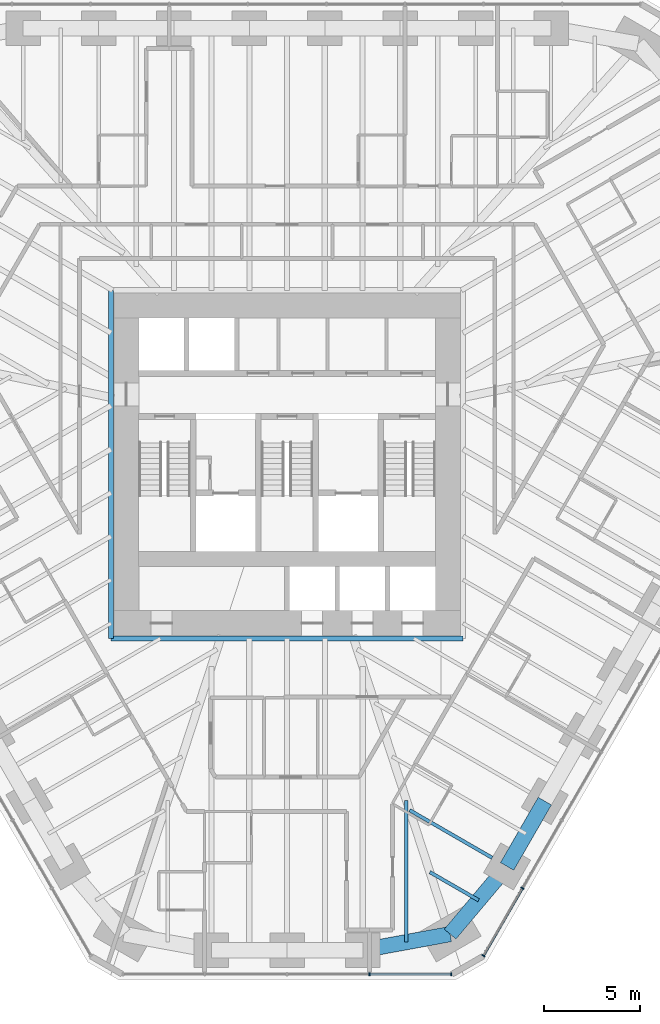
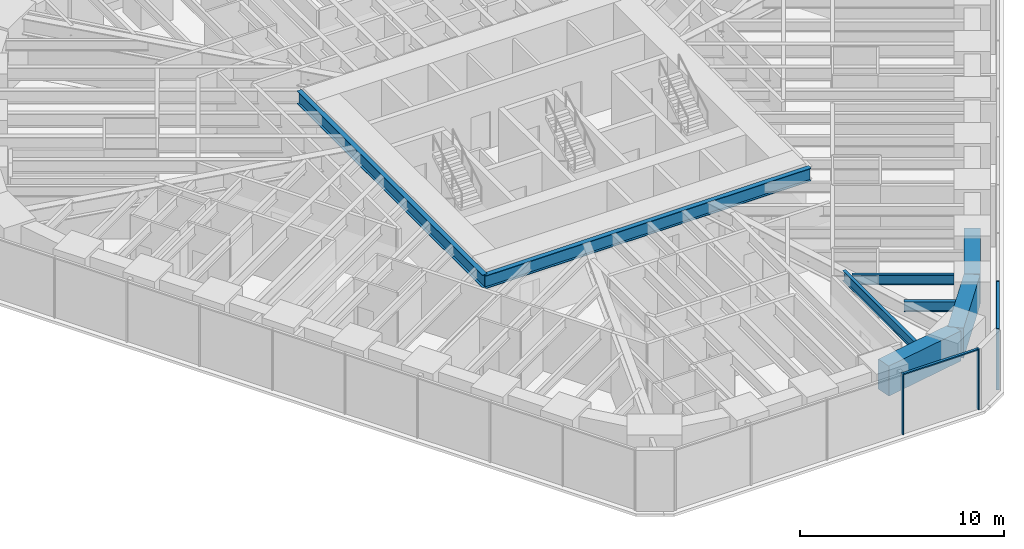
# One storey, part 4 of 16: 8 beams, 6 members, 2 elements without a shape of their own.
"""IFC4 building model written with IfcOpenShell, lengths in metres."""

import ifcopenshell
import ifcopenshell.guid

model = None  # the IFC model being written
_history = None  # IfcOwnerHistory: only IFC2X3 demands one
_inside = {}  # id of a spatial element -> (the spatial element, [elements in it])
_under = {}  # id of a project, library or spatial element -> (it, [spatial elements below it])
_declared = {}  # id of a project -> (the project, [libraries it declares])
_typed = {}  # id of a type object -> (the type object, [elements of that type])
_made_of = {}  # id of a material, layer set ... -> (it, [elements and type objects made of it])


def new_model(schema):
    """Start an empty IFC model of exactly this schema.

    Asked for "IFC4X3", IfcOpenShell would pick the latest addendum, in which some entities
    have other attributes; the version numbers below select the first issue.
    IFC2X3 requires an IfcOwnerHistory on every rooted entity: one is made here for all.
    """
    global model, _history
    if schema == "IFC4X3":
        model = ifcopenshell.file(schema_version=(4, 3, 0, 0))
    else:
        model = ifcopenshell.file(schema=schema)
    _inside.clear()
    _under.clear()
    _declared.clear()
    _typed.clear()
    _made_of.clear()
    _history = None
    if model.schema == "IFC2X3":
        org = make("IfcOrganization", Name="unknown")
        user = make(
            "IfcPersonAndOrganization",
            ThePerson=make("IfcPerson", FamilyName="unknown"),
            TheOrganization=org,
        )
        app = make(
            "IfcApplication",
            ApplicationDeveloper=org,
            Version="unknown",
            ApplicationFullName="unknown",
            ApplicationIdentifier="unknown",
        )
        _history = make(
            "IfcOwnerHistory",
            OwningUser=user,
            OwningApplication=app,
            ChangeAction="ADDED",
            CreationDate=0,
        )
    return model


def make(cls, **values):
    """One entity of the class cls with the attributes given. An attribute that is None is left unset."""
    return model.create_entity(
        cls, **{name: value for name, value in values.items() if value is not None}
    )


def rooted(cls, **values):
    """An entity with a GlobalId (a new one), such as an element, a storey or a relation."""
    return make(cls, GlobalId=ifcopenshell.guid.new(), OwnerHistory=_history, **values)


def si_unit(unit_type, name, prefix=None):
    """IfcSIUnit, for example si_unit("LENGTHUNIT", "METRE", prefix="MILLI")."""
    return make("IfcSIUnit", UnitType=unit_type, Prefix=prefix, Name=name)


def assignment(units):
    """IfcUnitAssignment: the units of a project."""
    return None if units is None else make("IfcUnitAssignment", Units=units)


def point(xyz):
    """IfcCartesianPoint."""
    return None if xyz is None else make("IfcCartesianPoint", Coordinates=xyz)


def direction(xyz):
    """IfcDirection."""
    return None if xyz is None else make("IfcDirection", DirectionRatios=xyz)


def frame(location, z_axis=None, x_axis=None):
    """IfcAxis2Placement3D, a coordinate frame: its origin and axes. An axis left out is left unset."""
    return make(
        "IfcAxis2Placement3D",
        Location=point(location),
        Axis=direction(z_axis),
        RefDirection=direction(x_axis),
    )


def frame_2d(location, x_axis=None):
    """IfcAxis2Placement2D, a coordinate frame in the plane: its origin and x axis."""
    return make(
        "IfcAxis2Placement2D", Location=point(location), RefDirection=direction(x_axis)
    )


def origin():
    """The frame at (0, 0, 0) with its axes left unset."""
    return frame((0.0, 0.0, 0.0))


def origin_2d():
    """The frame at (0, 0) in the plane with its x axis left unset."""
    return frame_2d((0.0, 0.0))


def place(relative_to, where):
    """IfcLocalPlacement: puts the frame where relative to a parent placement (None: the world)."""
    return make(
        "IfcLocalPlacement", PlacementRelTo=relative_to, RelativePlacement=where
    )


def context(
    kind, dimensions, precision=None, world=None, true_north=None, identifier=None
):
    """IfcGeometricRepresentationContext, for example the 3D "Model" context."""
    return make(
        "IfcGeometricRepresentationContext",
        ContextIdentifier=identifier,
        ContextType=kind,
        CoordinateSpaceDimension=dimensions,
        Precision=precision,
        WorldCoordinateSystem=world,
        TrueNorth=true_north,
    )


def subcontext(parent, identifier, kind, view, scale=None):
    """IfcGeometricRepresentationSubContext, for example "Body" below "Model"."""
    return make(
        "IfcGeometricRepresentationSubContext",
        ContextIdentifier=identifier,
        ContextType=kind,
        ParentContext=parent,
        TargetScale=scale,
        TargetView=view,
    )


def project(units=None, contexts=None):
    """IfcProject with its units and contexts."""
    return rooted(
        "IfcProject",
        Name="project",
        RepresentationContexts=contexts,
        UnitsInContext=assignment(units),
    )


def spatial(cls, under=None, at=None, **own):
    """A site, building, storey or space (cls), placed at a placement, below another one or the project."""
    s = rooted(cls, ObjectPlacement=at, **own)
    if under is not None:
        _under.setdefault(under.id(), (under, []))[1].append(s)
    return s


def profile(cls, at=None, kind="AREA", **sizes):
    """A parametric profile (cls). Its sizes go by their IFC names, for example OverallWidth=200.0."""
    return make(cls, ProfileType=kind, Position=at, **sizes)


def rectangle(**sizes):
    """IfcRectangleProfileDef."""
    return profile("IfcRectangleProfileDef", **sizes)


def i_section(**sizes):
    """IfcIShapeProfileDef."""
    return profile("IfcIShapeProfileDef", **sizes)


def extrude(swept, where, along, depth):
    """IfcExtrudedAreaSolid: the profile swept, set in the frame where, extruded along a direction by depth."""
    return make(
        "IfcExtrudedAreaSolid",
        SweptArea=swept,
        Position=where,
        ExtrudedDirection=direction(along),
        Depth=depth,
    )


def shape(context_of_items, identifier, shape_type, items):
    """IfcShapeRepresentation: the items that make up one representation, for example the "Body"."""
    return make(
        "IfcShapeRepresentation",
        ContextOfItems=context_of_items,
        RepresentationIdentifier=identifier,
        RepresentationType=shape_type,
        Items=items,
    )


def material(Name=None, Category=None):
    """IfcMaterial."""
    return make("IfcMaterial", Name=Name, Category=Category)


def material_profile(
    of_material, cross_section, Name=None, Category=None, Priority=None
):
    """IfcMaterialProfile: a cross section and its material."""
    return make(
        "IfcMaterialProfile",
        Name=Name,
        Material=of_material,
        Profile=cross_section,
        Priority=Priority,
        Category=Category,
    )


def profile_set(profiles, Name=None, composite=None):
    """IfcMaterialProfileSet."""
    return make(
        "IfcMaterialProfileSet",
        Name=Name,
        MaterialProfiles=profiles,
        CompositeProfile=composite,
    )


def made_of(thing, what):
    """Note that an element or type object is made of a material, layer set ...; save() writes the relation."""
    if what is not None:
        _made_of.setdefault(what.id(), (what, []))[1].append(thing)
    return thing


def type_object(cls, material=None, **own):
    """A type object (cls), such as IfcWallType, which elements share."""
    return made_of(rooted(cls, **own), material)


def element(
    cls,
    number,
    at=None,
    inside=None,
    cuts=None,
    type_object=None,
    material=None,
    context=None,
    identifier="Body",
    shape_type=None,
    held_by="IfcProductDefinitionShape",
    body=None,
    shapes=None,
    **own,
):
    """One element of the class cls, such as IfcWall. Its Tag is "e" and its number.

    at: its placement. inside: the storey or other place that contains it. cuts: it is an
    opening in that element (IfcRelVoidsElement). A single representation is given by context,
    identifier, shape_type and body (its items); several are given by shapes. held_by: the class
    of the entity that holds the representations. save() writes the other relations.
    """
    e = rooted(cls, Tag="e%d" % number, ObjectPlacement=at, **own)
    if body is not None:
        shapes = [shape(context, identifier, shape_type, body)]
    if shapes is not None:
        e.Representation = make(held_by, Representations=shapes)
    if inside is not None:
        _inside.setdefault(inside.id(), (inside, []))[1].append(e)
    if cuts is not None:
        rooted(
            "IfcRelVoidsElement", RelatingBuildingElement=cuts, RelatedOpeningElement=e
        )
    if type_object is not None:
        _typed.setdefault(type_object.id(), (type_object, []))[1].append(e)
    return made_of(e, material)


def aggregate(whole, parts):
    """IfcRelAggregates: a whole, such as a stair, and the parts it consists of."""
    return rooted("IfcRelAggregates", RelatingObject=whole, RelatedObjects=parts)


def save(model, path):
    """Write the relations noted so far, then the file.

    IfcRelAggregates (storeys below a building ...), IfcRelContainedInSpatialStructure (elements
    in a storey), IfcRelDefinesByType, IfcRelAssociatesMaterial and IfcRelDeclares: one each for
    every whole, place, type object, material and project.
    """
    for whole, parts in _under.values():
        aggregate(whole, parts)
    for where, things in _inside.values():
        rooted(
            "IfcRelContainedInSpatialStructure",
            RelatedElements=things,
            RelatingStructure=where,
        )
    for kind, things in _typed.values():
        rooted("IfcRelDefinesByType", RelatedObjects=things, RelatingType=kind)
    for what, things in _made_of.values():
        rooted("IfcRelAssociatesMaterial", RelatedObjects=things, RelatingMaterial=what)
    for by, libraries in _declared.values():
        rooted("IfcRelDeclares", RelatingContext=by, RelatedDefinitions=libraries)
    model.write(path)


model = new_model("IFC4")

# Units and contexts
model_context = context("Model", 3, precision=1e-05, world=origin(), true_north=direction((0.0, 1.0)))
body_context = subcontext(model_context, "Body", "Model", "MODEL_VIEW")
ifc_project = project(units=[si_unit("LENGTHUNIT", "METRE"), si_unit("AREAUNIT", "SQUARE_METRE"), si_unit("VOLUMEUNIT", "CUBIC_METRE"), si_unit("PLANEANGLEUNIT", "RADIAN"), si_unit("MASSUNIT", "GRAM", prefix="KILO")], contexts=[model_context])

# Site, building, storey
site_placement = place(None, origin())
site = spatial("IfcSite", under=ifc_project, at=site_placement, CompositionType="ELEMENT")
building_placement = place(site_placement, origin())
building = spatial("IfcBuilding", under=site, at=building_placement, Name="Sandreach Pilgrim Tower", CompositionType="ELEMENT")
storey_placement = place(building_placement, frame((0.0, 0.0, 115.800048828125)))
storey = spatial("IfcBuildingStorey", under=building, at=storey_placement, Name="L28", CompositionType="ELEMENT", Elevation=115.800048828125)

# Curtain wall, members
ifc_material_1 = material(Name="Aluminium framed curtain wall", Category="aluminium")
curtain_wall_type = type_object("IfcCurtainWallType", Name="Hotel tower curtain wall", PredefinedType="NOTDEFINED", material=ifc_material_1)
curtain_wall_1_placement = place(storey_placement, origin())
curtain_wall_1 = element("IfcCurtainWall", 1, at=curtain_wall_1_placement, inside=storey, type_object=curtain_wall_type, Name="CW-2 L28 SE", PredefinedType="NOTDEFINED")
ifc_material_2 = material(Name="Aluminium extrusion", Category="aluminium")
ifc_material_profile_1 = material_profile(ifc_material_2, rectangle(XDim=0.06494140625, YDim=0.179931640625, at=origin_2d()), Name="CW-2M 65X180")
ifc_profile_set_1 = profile_set([ifc_material_profile_1], Name="Aluminium extrusion")
member_type_1 = type_object("IfcMemberType", Name="CW-2 mullion", PredefinedType="MULLION", material=ifc_profile_set_1)
member_1_placement = place(storey_placement, frame((12.29296875, -23.695556640625, 0.0), z_axis=(0.0, 0.0, 1.0), x_axis=(-0.5, -0.866025403784, 0.0)))
member_1 = element("IfcMember", 2, at=member_1_placement, type_object=member_type_1, Name="CW-2 mullion 9", PredefinedType="MULLION", context=body_context, shape_type="SweptSolid", body=[
    extrude(rectangle(XDim=0.06494140625, YDim=0.179931640625, at=origin_2d()), origin(), (0.0, 0.0, 1.0), 3.639892578125),
])
member_2_placement = place(storey_placement, frame((10.255859375, -27.22412109375, 0.0), z_axis=(0.0, 0.0, 1.0), x_axis=(-0.5, -0.866025403784, 0.0)))
member_2 = element("IfcMember", 3, at=member_2_placement, type_object=member_type_1, Name="CW-2 mullion 10", PredefinedType="MULLION", context=body_context, shape_type="SweptSolid", body=[
    extrude(rectangle(XDim=0.06494140625, YDim=0.179931640625, at=origin_2d()), origin(), (0.0, 0.0, 1.0), 3.639892578125),
])

curtain_wall_2_placement = place(storey_placement, origin())
curtain_wall_2 = element("IfcCurtainWall", 4, at=curtain_wall_2_placement, inside=storey, type_object=curtain_wall_type, Name="CW-2 L28 S", PredefinedType="NOTDEFINED")
member_3_placement = place(storey_placement, frame((8.578857421875, -28.192138671875, 0.0), z_axis=(0.0, 0.0, 1.0), x_axis=(-1.0, 0.0, 0.0)))
member_3 = element("IfcMember", 5, at=member_3_placement, type_object=member_type_1, Name="CW-2 mullion 1", PredefinedType="MULLION", context=body_context, shape_type="SweptSolid", body=[
    extrude(rectangle(XDim=0.06494140625, YDim=0.179931640625, at=origin_2d()), origin(), (0.0, 0.0, 1.0), 3.639892578125),
])
member_4_placement = place(storey_placement, frame((4.3056640625, -28.192138671875, 0.0), z_axis=(0.0, 0.0, 1.0), x_axis=(-1.0, 0.0, 0.0)))
member_4 = element("IfcMember", 6, at=member_4_placement, type_object=member_type_1, Name="CW-2 mullion 2", PredefinedType="MULLION", context=body_context, shape_type="SweptSolid", body=[
    extrude(rectangle(XDim=0.06494140625, YDim=0.179931640625, at=origin_2d()), origin(), (0.0, 0.0, 1.0), 3.639892578125),
])

# Member
ifc_material_3 = material(Name="Aluminium extrusion", Category="aluminium")
ifc_material_profile_2 = material_profile(ifc_material_3, rectangle(XDim=0.139892578125, YDim=0.070068359375, at=origin_2d()), Name="CW-2T 140X70")
ifc_profile_set_2 = profile_set([ifc_material_profile_2], Name="Aluminium extrusion")
member_type_2 = type_object("IfcMemberType", Name="CW-2 transom", PredefinedType="USERDEFINED", material=ifc_profile_set_2)
member_5_placement = place(storey_placement, frame((12.27685546875, -23.7236328125, 3.60498046875), z_axis=(-0.500015851672, -0.866016251624, 0.0), x_axis=(0.866016251624, -0.500015851672, 0.0)))
member_5 = element("IfcMember", 7, at=member_5_placement, type_object=member_type_2, Name="CW-2 head transom 9", ObjectType="TRANSOM", PredefinedType="USERDEFINED", context=body_context, shape_type="SweptSolid", body=[
    extrude(rectangle(XDim=0.139892578125, YDim=0.070068359375, at=origin_2d()), origin(), (0.0, 0.0, 1.0), 4.009521484375),
])

aggregate(curtain_wall_1, [member_1, member_2, member_5])

member_6_placement = place(storey_placement, frame((8.54638671875, -28.192138671875, 3.60498046875), z_axis=(-1.0, 0.0, 0.0), x_axis=(0.0, -1.0, 0.0)))
member_6 = element("IfcMember", 8, at=member_6_placement, type_object=member_type_2, Name="CW-2 head transom 1", ObjectType="TRANSOM", PredefinedType="USERDEFINED", context=body_context, shape_type="SweptSolid", body=[
    extrude(rectangle(XDim=0.139892578125, YDim=0.070068359375, at=origin_2d()), origin(), (0.0, 0.0, 1.0), 4.208251953125),
])

aggregate(curtain_wall_2, [member_3, member_4, member_6])

# Beams
ifc_material_4 = material(Name="Steel ASTM A992 Grade 50", Category="steel")
ifc_material_profile_3 = material_profile(ifc_material_4, i_section(OverallWidth=0.2666015625, OverallDepth=0.77978515625, WebThickness=0.0166015625, FlangeThickness=0.030029296875, at=origin_2d()), Name="W30X148")
ifc_profile_set_3 = profile_set([ifc_material_profile_3], Name="Steel ASTM A992 Grade 50")
beam_type_1 = type_object("IfcBeamType", Name="Core edge beam W30X148", PredefinedType="BEAM", material=ifc_profile_set_3)
beam_1_placement = place(storey_placement, frame((9.193359375, -10.643310546875, 3.25), z_axis=(-1.0, 0.0, 0.0), x_axis=(0.0, -1.0, 0.0)))
element("IfcBeam", 9, at=beam_1_placement, inside=storey, type_object=beam_type_1, Name="BM L28 CES", PredefinedType="BEAM", context=body_context, shape_type="SweptSolid", body=[
    extrude(i_section(OverallWidth=0.2666015625, OverallDepth=0.77978515625, WebThickness=0.0166015625, FlangeThickness=0.030029296875, at=origin_2d()), origin(), (0.0, 0.0, 1.0), 18.38671875),
])
beam_2_placement = place(storey_placement, frame((-9.193359375, -10.643310546875, 3.25), z_axis=(0.0, 1.0, 0.0), x_axis=(-1.0, 0.0, 0.0)))
element("IfcBeam", 10, at=beam_2_placement, inside=storey, type_object=beam_type_1, Name="BM L28 CEW", PredefinedType="BEAM", context=body_context, shape_type="SweptSolid", body=[
    extrude(i_section(OverallWidth=0.2666015625, OverallDepth=0.77978515625, WebThickness=0.0166015625, FlangeThickness=0.030029296875, at=origin_2d()), origin(), (0.0, 0.0, 1.0), 18.186767578125),
])
ifc_material_5 = material(Name="Steel ASTM A992 Grade 50", Category="steel")
ifc_material_profile_4 = material_profile(ifc_material_5, i_section(OverallWidth=0.1787109375, OverallDepth=0.60205078125, WebThickness=0.010986328125, FlangeThickness=0.014892578125, at=origin_2d()), Name="W24X62")
ifc_profile_set_4 = profile_set([ifc_material_profile_4], Name="Steel ASTM A992 Grade 50")
beam_type_2 = type_object("IfcBeamType", Name="Floor beam W24X62", PredefinedType="BEAM", material=ifc_profile_set_4)
beam_3_placement = place(storey_placement, frame((10.714599609375, -22.109130859375, 3.3388671875), z_axis=(-0.866024645457, 0.500001313459, 0.0), x_axis=(-0.500001313459, -0.866024645457, 0.0)))
element("IfcBeam", 11, at=beam_3_placement, inside=storey, type_object=beam_type_2, Name="BM L28 F21", PredefinedType="BEAM", context=body_context, shape_type="SweptSolid", body=[
    extrude(i_section(OverallWidth=0.1787109375, OverallDepth=0.60205078125, WebThickness=0.010986328125, FlangeThickness=0.014892578125, at=origin_2d()), origin(), (0.0, 0.0, 1.0), 4.9765625),
])
beam_4_placement = place(storey_placement, frame((10.006103515625, -24.326904296875, 3.3388671875), z_axis=(-0.866015396618, 0.500017332519, 0.0), x_axis=(-0.500017332519, -0.866015396618, 0.0)))
element("IfcBeam", 12, at=beam_4_placement, inside=storey, type_object=beam_type_2, Name="BM L28 FM21", PredefinedType="BEAM", context=body_context, shape_type="SweptSolid", body=[
    extrude(i_section(OverallWidth=0.1787109375, OverallDepth=0.60205078125, WebThickness=0.010986328125, FlangeThickness=0.014892578125, at=origin_2d()), origin(), (0.0, 0.0, 1.0), 2.9384765625),
])
beam_5_placement = place(storey_placement, frame((6.236572265625, -26.51318359375, 3.3388671875), z_axis=(0.0, 1.0, 0.0), x_axis=(-1.0, 0.0, 0.0)))
element("IfcBeam", 13, at=beam_5_placement, inside=storey, type_object=beam_type_2, Name="BM L28 FM22", PredefinedType="BEAM", context=body_context, shape_type="SweptSolid", body=[
    extrude(i_section(OverallWidth=0.1787109375, OverallDepth=0.60205078125, WebThickness=0.010986328125, FlangeThickness=0.014892578125, at=origin_2d()), origin(), (0.0, 0.0, 1.0), 7.40771484375),
])
ifc_material_6 = material(Name="Concrete 10000 psi", Category="concrete")
ifc_material_profile_5 = material_profile(ifc_material_6, rectangle(XDim=0.800048828125, YDim=1.800048828125, at=origin_2d()), Name="RC800X1800")
ifc_profile_set_5 = profile_set([ifc_material_profile_5], Name="Concrete 10000 psi")
beam_type_3 = type_object("IfcBeamType", Name="Spandrel beam RC800X1800", PredefinedType="SPANDREL", material=ifc_profile_set_5)
beam_6_placement = place(storey_placement, frame((13.464111328125, -19.147216796875, 2.739990234375), z_axis=(-0.49999779889, -0.866026674592, 0.0), x_axis=(0.866026674592, -0.49999779889, 0.0)))
element("IfcBeam", 14, at=beam_6_placement, inside=storey, type_object=beam_type_3, Name="BM L28 SP20", PredefinedType="SPANDREL", context=body_context, shape_type="SweptSolid", body=[
    extrude(rectangle(XDim=0.800048828125, YDim=1.800048828125, at=origin_2d()), origin(), (0.0, 0.0, 1.0), 3.93994140625),
])
beam_7_placement = place(storey_placement, frame((11.494140625, -22.559326171875, 2.739990234375), z_axis=(-0.644078801547, -0.764959147535, 0.0), x_axis=(0.764959147535, -0.644078801547, 0.0)))
element("IfcBeam", 15, at=beam_7_placement, inside=storey, type_object=beam_type_3, Name="BM L28 SP21", PredefinedType="SPANDREL", context=body_context, shape_type="SweptSolid", body=[
    extrude(rectangle(XDim=0.800048828125, YDim=1.800048828125, at=origin_2d()), origin(), (0.0, 0.0, 1.0), 4.62109375),
])
beam_8_placement = place(storey_placement, frame((8.517822265625, -26.09423828125, 2.739990234375), z_axis=(-0.983551746136, -0.180626583516, 0.0), x_axis=(0.180626583516, -0.983551746136, 0.0)))
element("IfcBeam", 16, at=beam_8_placement, inside=storey, type_object=beam_type_3, Name="BM L28 SP22", PredefinedType="SPANDREL", context=body_context, shape_type="SweptSolid", body=[
    extrude(rectangle(XDim=0.800048828125, YDim=1.800048828125, at=origin_2d()), origin(), (0.0, 0.0, 1.0), 4.638916015625),
])

save(model, "model.ifc")
